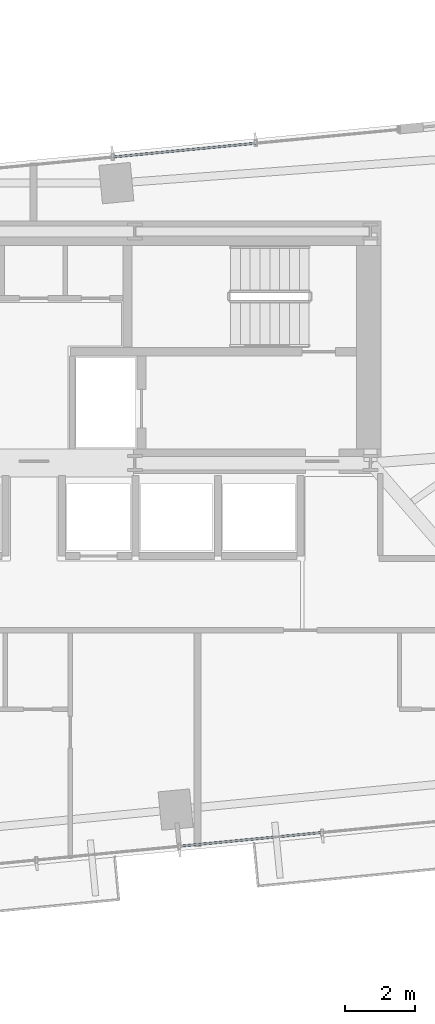
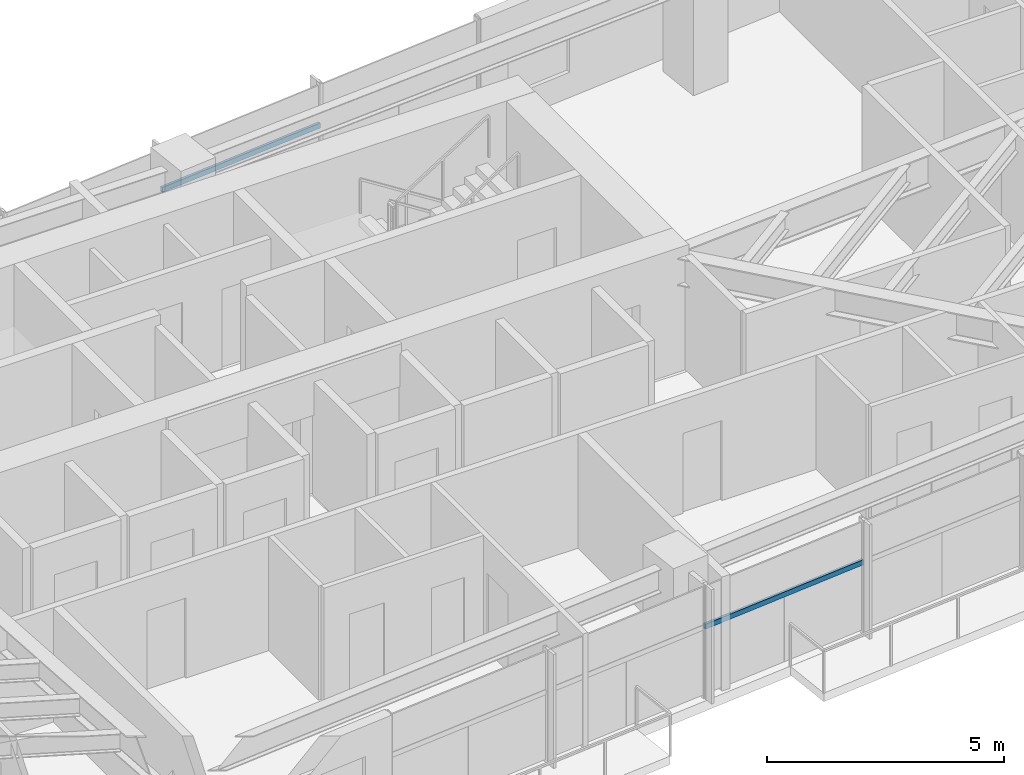
# One storey, part 11 of 27: 2 members, 2 elements without a shape of their own.
"""IFC4 building model written with IfcOpenShell, lengths in metres."""

from ifc_helpers import new_model, si_unit, direction, frame, origin, origin_2d, place, context, subcontext, project, spatial, hollow_rectangle, extrude, source, transform, mapped, material, material_profile, profile_set, type_object, type_shapes, element, aggregate, save


model = new_model("IFC4")

# Units and contexts
model_context = context("Model", 3, precision=1e-05, world=origin(), true_north=direction((0.0, 1.0)))
body_context = subcontext(model_context, "Body", "Model", "MODEL_VIEW")
ifc_project = project(units=[si_unit("LENGTHUNIT", "METRE"), si_unit("AREAUNIT", "SQUARE_METRE"), si_unit("VOLUMEUNIT", "CUBIC_METRE"), si_unit("PLANEANGLEUNIT", "RADIAN"), si_unit("MASSUNIT", "GRAM", prefix="KILO")], contexts=[model_context])

# Site, building, storey
site_placement = place(None, origin())
site = spatial("IfcSite", under=ifc_project, at=site_placement, CompositionType="ELEMENT")
building_placement = place(site_placement, origin())
building = spatial("IfcBuilding", under=site, at=building_placement, Name="Astriad Promenade Condominiums", CompositionType="ELEMENT")
storey_placement = place(building_placement, frame((0.0, 0.0, 97.0)))
storey = spatial("IfcBuildingStorey", under=building, at=storey_placement, Name="L27", CompositionType="ELEMENT", Elevation=97.0)

# Curtain wall, member
ifc_material_1 = material(Name="Anodised aluminium Black Dark Glass Unitised", Category="aluminium")
curtain_wall_type = type_object("IfcCurtainWallType", Name="CW-B2-DARK", PredefinedType="USERDEFINED", material=ifc_material_1)
curtain_wall_1_placement = place(storey_placement, origin())
curtain_wall_1 = element("IfcCurtainWall", 1, at=curtain_wall_1_placement, inside=storey, type_object=curtain_wall_type, Name="CW-L27-N", ObjectType="UNITISED_CURTAIN_WALL", PredefinedType="USERDEFINED")
ifc_material_2 = material(Name="Anodised aluminium 6063-T6 Black", Category="aluminium")
ifc_material_profile = material_profile(ifc_material_2, hollow_rectangle(XDim=0.06494140625, YDim=0.1298828125, WallThickness=0.00390625, at=origin_2d()), Name="ALU-TRN-65X130")
ifc_profile_set = profile_set([ifc_material_profile], Name="Anodised aluminium 6063-T6 Black")
member_type = type_object("IfcMemberType", Name="TRN-ALU-TRN-65X130", PredefinedType="USERDEFINED", material=ifc_profile_set)
shared_shape = source(origin(), body_context, "Body", "SweptSolid", [
    extrude(hollow_rectangle(XDim=0.06494140625, YDim=0.1298828125, WallThickness=0.00390625, at=origin_2d()), origin(), (0.0, 0.0, 1.0), 4.094970703125),
])
type_shapes(member_type, [shared_shape])
member_1_placement = place(storey_placement, frame((38.25390625, 26.12451171875, 1.82275390625), z_axis=(0.995394161585, 0.09586690296, 0.0), x_axis=(-0.09586690296, 0.995394161585, 0.0)))
member_1 = element("IfcMember", 2, at=member_1_placement, type_object=member_type, Name="CW-L27-N-TRN-02-0", ObjectType="TRANSOM", PredefinedType="USERDEFINED", context=body_context, shape_type="MappedRepresentation", body=[
    mapped(shared_shape, transform((0.0, 0.0, 0.0), scale=1.0)),
])
aggregate(curtain_wall_1, [member_1])

curtain_wall_2_placement = place(storey_placement, origin())
curtain_wall_2 = element("IfcCurtainWall", 3, at=curtain_wall_2_placement, inside=storey, type_object=curtain_wall_type, Name="CW-L27-S", ObjectType="UNITISED_CURTAIN_WALL", PredefinedType="USERDEFINED")
member_2_placement = place(storey_placement, frame((44.22216796875, 6.867919921875, 1.82275390625), z_axis=(-0.995394161585, -0.09586690296, 0.0), x_axis=(0.09586690296, -0.995394161585, 0.0)))
member_2 = element("IfcMember", 4, at=member_2_placement, type_object=member_type, Name="CW-L27-S-TRN-01-0", ObjectType="TRANSOM", PredefinedType="USERDEFINED", context=body_context, shape_type="MappedRepresentation", body=[
    mapped(shared_shape, transform((0.0, 0.0, 0.0), scale=1.0)),
])
aggregate(curtain_wall_2, [member_2])

save(model, "model.ifc")
